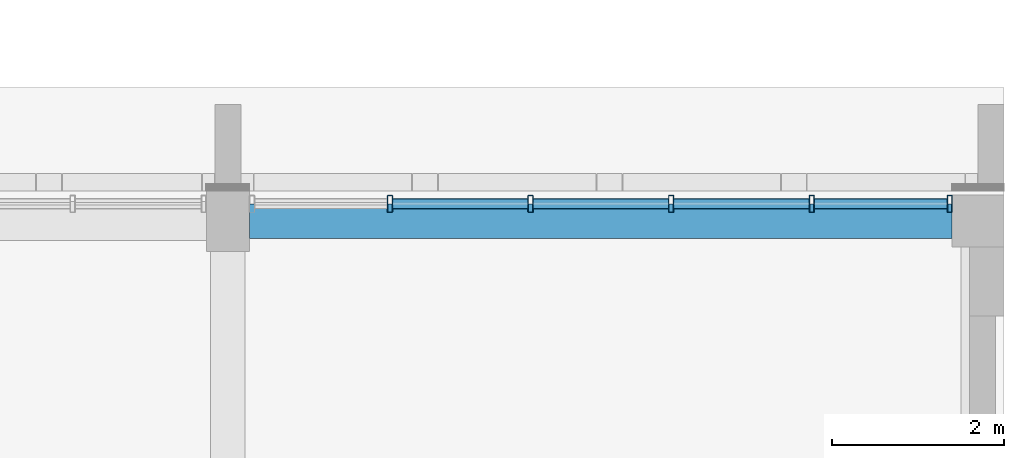
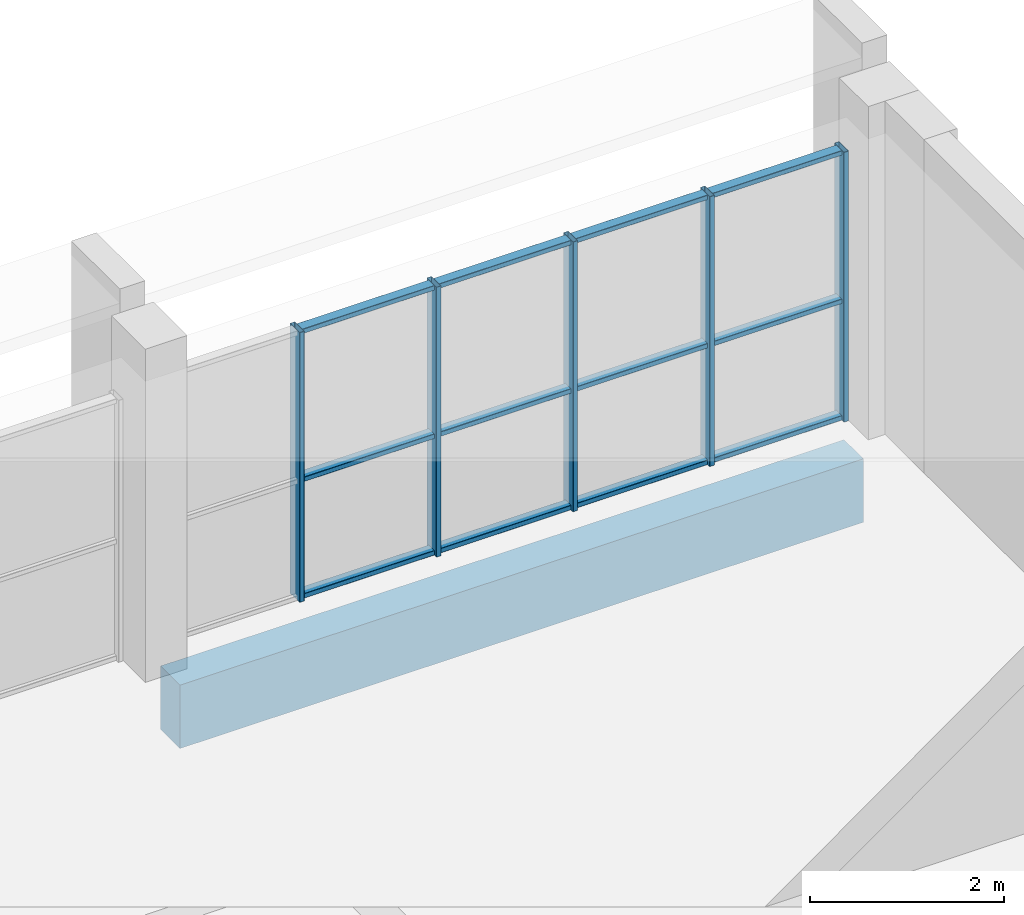
# One storey, part 39 of 98: 17 members, 1 beam, 1 element without a shape of its own.
"""IFC4 building model written with IfcOpenShell, lengths in metres."""

from ifc_helpers import new_model, si_unit, direction, frame, origin, origin_2d, place, context, subcontext, project, spatial, rectangle, hollow_rectangle, extrude, material, material_profile, profile_set, type_object, element, aggregate, save


model = new_model("IFC4")

# Units and contexts
model_context = context("Model", 3, precision=1e-05, world=origin(), true_north=direction((0.0, 1.0)))
body_context = subcontext(model_context, "Body", "Model", "MODEL_VIEW")
ifc_project = project(units=[si_unit("LENGTHUNIT", "METRE"), si_unit("AREAUNIT", "SQUARE_METRE"), si_unit("VOLUMEUNIT", "CUBIC_METRE"), si_unit("PLANEANGLEUNIT", "RADIAN"), si_unit("MASSUNIT", "GRAM", prefix="KILO")], contexts=[model_context])

# Site, building, storey
site_placement = place(None, origin())
site = spatial("IfcSite", under=ifc_project, at=site_placement, CompositionType="ELEMENT")
building_placement = place(site_placement, origin())
building = spatial("IfcBuilding", under=site, at=building_placement, Name="Sun Court Science Centre", CompositionType="ELEMENT")
storey_placement = place(building_placement, frame((0.0, 0.0, 15.75)))
storey = spatial("IfcBuildingStorey", under=building, at=storey_placement, Name="L03", CompositionType="ELEMENT", Elevation=15.75)

# Curtain wall, members
ifc_material_1 = material(Name="Aluminium EN AW-6063 T6", Category="aluminium")
curtain_wall_type = type_object("IfcCurtainWallType", Name="Laboratory tall bay curtain wall 1500", PredefinedType="NOTDEFINED", material=ifc_material_1)
curtain_wall_placement = place(storey_placement, origin())
curtain_wall = element("IfcCurtainWall", 1, at=curtain_wall_placement, inside=storey, type_object=curtain_wall_type, Name="Curtain wall V4 N L03 03", PredefinedType="NOTDEFINED")
ifc_material_2 = material(Name="Aluminium EN AW-6063 T6", Category="aluminium")
ifc_material_profile_1 = material_profile(ifc_material_2, hollow_rectangle(XDim=0.06005859375, YDim=0.199951171875, WallThickness=0.0048828125, InnerFilletRadius=0.0048828125, OuterFilletRadius=0.007568359375, at=origin_2d()), Name="AL 60x200x5")
ifc_profile_set_1 = profile_set([ifc_material_profile_1], Name="Aluminium EN AW-6063 T6")
member_type_1 = type_object("IfcMemberType", Name="Curtain wall mullion AL 60x200", PredefinedType="MULLION", material=ifc_profile_set_1)
member_1_placement = place(storey_placement, frame((96.8798828125, 80.85009765625, 0.0), z_axis=(0.0, 0.0, 1.0), x_axis=(1.0, 0.0, 0.0)))
member_1 = element("IfcMember", 2, at=member_1_placement, type_object=member_type_1, Name="CW2-72 mullion 2", PredefinedType="MULLION", context=body_context, shape_type="SweptSolid", body=[
    extrude(hollow_rectangle(XDim=0.06005859375, YDim=0.199951171875, WallThickness=0.0048828125, InnerFilletRadius=0.0048828125, OuterFilletRadius=0.007568359375, at=origin_2d()), origin(), (0.0, 0.0, 1.0), 3.39990234375),
])
member_2_placement = place(storey_placement, frame((98.510009765625, 80.85009765625, 0.0), z_axis=(0.0, 0.0, 1.0), x_axis=(1.0, 0.0, 0.0)))
member_2 = element("IfcMember", 3, at=member_2_placement, type_object=member_type_1, Name="CW2-72 mullion 3", PredefinedType="MULLION", context=body_context, shape_type="SweptSolid", body=[
    extrude(hollow_rectangle(XDim=0.06005859375, YDim=0.199951171875, WallThickness=0.0048828125, InnerFilletRadius=0.0048828125, OuterFilletRadius=0.007568359375, at=origin_2d()), origin(), (0.0, 0.0, 1.0), 3.39990234375),
])
member_3_placement = place(storey_placement, frame((100.139892578125, 80.85009765625, 0.0), z_axis=(0.0, 0.0, 1.0), x_axis=(1.0, 0.0, 0.0)))
member_3 = element("IfcMember", 4, at=member_3_placement, type_object=member_type_1, Name="CW2-72 mullion 4", PredefinedType="MULLION", context=body_context, shape_type="SweptSolid", body=[
    extrude(hollow_rectangle(XDim=0.06005859375, YDim=0.199951171875, WallThickness=0.0048828125, InnerFilletRadius=0.0048828125, OuterFilletRadius=0.007568359375, at=origin_2d()), origin(), (0.0, 0.0, 1.0), 3.39990234375),
])
member_4_placement = place(storey_placement, frame((101.77001953125, 80.85009765625, 0.0), z_axis=(0.0, 0.0, 1.0), x_axis=(1.0, 0.0, 0.0)))
member_4 = element("IfcMember", 5, at=member_4_placement, type_object=member_type_1, Name="CW2-72 mullion 5", PredefinedType="MULLION", context=body_context, shape_type="SweptSolid", body=[
    extrude(hollow_rectangle(XDim=0.06005859375, YDim=0.199951171875, WallThickness=0.0048828125, InnerFilletRadius=0.0048828125, OuterFilletRadius=0.007568359375, at=origin_2d()), origin(), (0.0, 0.0, 1.0), 3.39990234375),
])
member_5_placement = place(storey_placement, frame((103.3701171875, 80.85009765625, 0.0), z_axis=(0.0, 0.0, 1.0), x_axis=(1.0, 0.0, 0.0)))
member_5 = element("IfcMember", 6, at=member_5_placement, type_object=member_type_1, Name="CW2-72 mullion 6", PredefinedType="MULLION", context=body_context, shape_type="SweptSolid", body=[
    extrude(hollow_rectangle(XDim=0.06005859375, YDim=0.199951171875, WallThickness=0.0048828125, InnerFilletRadius=0.0048828125, OuterFilletRadius=0.007568359375, at=origin_2d()), origin(), (0.0, 0.0, 1.0), 3.39990234375),
])
ifc_material_3 = material(Name="Aluminium EN AW-6063 T6", Category="aluminium")
ifc_material_profile_2 = material_profile(ifc_material_3, hollow_rectangle(XDim=0.06005859375, YDim=0.1201171875, WallThickness=0.00390625, InnerFilletRadius=0.00390625, OuterFilletRadius=0.006103515625, at=origin_2d()), Name="AL 60x120x4")
ifc_profile_set_2 = profile_set([ifc_material_profile_2], Name="Aluminium EN AW-6063 T6")
member_type_2 = type_object("IfcMemberType", Name="Curtain wall transom AL 60x120", PredefinedType="USERDEFINED", material=ifc_profile_set_2)
member_6_placement = place(storey_placement, frame((96.909912109375, 80.85009765625, 0.030029296875), z_axis=(1.0, 0.0, 0.0), x_axis=(0.0, 0.0, 1.0)))
member_6 = element("IfcMember", 7, at=member_6_placement, type_object=member_type_2, Name="CW2-72 transom 2.1", ObjectType="TRANSOM", PredefinedType="USERDEFINED", context=body_context, shape_type="SweptSolid", body=[
    extrude(hollow_rectangle(XDim=0.06005859375, YDim=0.1201171875, WallThickness=0.00390625, InnerFilletRadius=0.00390625, OuterFilletRadius=0.006103515625, at=origin_2d()), origin(), (0.0, 0.0, 1.0), 1.570068359375),
])
member_7_placement = place(storey_placement, frame((98.5400390625, 80.85009765625, 0.030029296875), z_axis=(1.0, 0.0, 0.0), x_axis=(0.0, 0.0, 1.0)))
member_7 = element("IfcMember", 8, at=member_7_placement, type_object=member_type_2, Name="CW2-72 transom 3.1", ObjectType="TRANSOM", PredefinedType="USERDEFINED", context=body_context, shape_type="SweptSolid", body=[
    extrude(hollow_rectangle(XDim=0.06005859375, YDim=0.1201171875, WallThickness=0.00390625, InnerFilletRadius=0.00390625, OuterFilletRadius=0.006103515625, at=origin_2d()), origin(), (0.0, 0.0, 1.0), 1.570068359375),
])
member_8_placement = place(storey_placement, frame((100.169921875, 80.85009765625, 0.030029296875), z_axis=(1.0, 0.0, 0.0), x_axis=(0.0, 0.0, 1.0)))
member_8 = element("IfcMember", 9, at=member_8_placement, type_object=member_type_2, Name="CW2-72 transom 4.1", ObjectType="TRANSOM", PredefinedType="USERDEFINED", context=body_context, shape_type="SweptSolid", body=[
    extrude(hollow_rectangle(XDim=0.06005859375, YDim=0.1201171875, WallThickness=0.00390625, InnerFilletRadius=0.00390625, OuterFilletRadius=0.006103515625, at=origin_2d()), origin(), (0.0, 0.0, 1.0), 1.570068359375),
])
member_9_placement = place(storey_placement, frame((101.800048828125, 80.85009765625, 0.030029296875), z_axis=(1.0, 0.0, 0.0), x_axis=(0.0, 0.0, 1.0)))
member_9 = element("IfcMember", 10, at=member_9_placement, type_object=member_type_2, Name="CW2-72 transom 5.1", ObjectType="TRANSOM", PredefinedType="USERDEFINED", context=body_context, shape_type="SweptSolid", body=[
    extrude(hollow_rectangle(XDim=0.06005859375, YDim=0.1201171875, WallThickness=0.00390625, InnerFilletRadius=0.00390625, OuterFilletRadius=0.006103515625, at=origin_2d()), origin(), (0.0, 0.0, 1.0), 1.5400390625),
])
member_10_placement = place(storey_placement, frame((96.909912109375, 80.85009765625, 1.5), z_axis=(1.0, 0.0, 0.0), x_axis=(0.0, 0.0, 1.0)))
member_10 = element("IfcMember", 11, at=member_10_placement, type_object=member_type_2, Name="CW2-72 transom 2.2", ObjectType="TRANSOM", PredefinedType="USERDEFINED", context=body_context, shape_type="SweptSolid", body=[
    extrude(hollow_rectangle(XDim=0.06005859375, YDim=0.1201171875, WallThickness=0.00390625, InnerFilletRadius=0.00390625, OuterFilletRadius=0.006103515625, at=origin_2d()), origin(), (0.0, 0.0, 1.0), 1.570068359375),
])
member_11_placement = place(storey_placement, frame((98.5400390625, 80.85009765625, 1.5), z_axis=(1.0, 0.0, 0.0), x_axis=(0.0, 0.0, 1.0)))
member_11 = element("IfcMember", 12, at=member_11_placement, type_object=member_type_2, Name="CW2-72 transom 3.2", ObjectType="TRANSOM", PredefinedType="USERDEFINED", context=body_context, shape_type="SweptSolid", body=[
    extrude(hollow_rectangle(XDim=0.06005859375, YDim=0.1201171875, WallThickness=0.00390625, InnerFilletRadius=0.00390625, OuterFilletRadius=0.006103515625, at=origin_2d()), origin(), (0.0, 0.0, 1.0), 1.570068359375),
])
member_12_placement = place(storey_placement, frame((100.169921875, 80.85009765625, 1.5), z_axis=(1.0, 0.0, 0.0), x_axis=(0.0, 0.0, 1.0)))
member_12 = element("IfcMember", 13, at=member_12_placement, type_object=member_type_2, Name="CW2-72 transom 4.2", ObjectType="TRANSOM", PredefinedType="USERDEFINED", context=body_context, shape_type="SweptSolid", body=[
    extrude(hollow_rectangle(XDim=0.06005859375, YDim=0.1201171875, WallThickness=0.00390625, InnerFilletRadius=0.00390625, OuterFilletRadius=0.006103515625, at=origin_2d()), origin(), (0.0, 0.0, 1.0), 1.570068359375),
])
member_13_placement = place(storey_placement, frame((101.800048828125, 80.85009765625, 1.5), z_axis=(1.0, 0.0, 0.0), x_axis=(0.0, 0.0, 1.0)))
member_13 = element("IfcMember", 14, at=member_13_placement, type_object=member_type_2, Name="CW2-72 transom 5.2", ObjectType="TRANSOM", PredefinedType="USERDEFINED", context=body_context, shape_type="SweptSolid", body=[
    extrude(hollow_rectangle(XDim=0.06005859375, YDim=0.1201171875, WallThickness=0.00390625, InnerFilletRadius=0.00390625, OuterFilletRadius=0.006103515625, at=origin_2d()), origin(), (0.0, 0.0, 1.0), 1.5400390625),
])
member_14_placement = place(storey_placement, frame((96.909912109375, 80.85009765625, 3.3701171875), z_axis=(1.0, 0.0, 0.0), x_axis=(0.0, 0.0, 1.0)))
member_14 = element("IfcMember", 15, at=member_14_placement, type_object=member_type_2, Name="CW2-72 transom 2.3", ObjectType="TRANSOM", PredefinedType="USERDEFINED", context=body_context, shape_type="SweptSolid", body=[
    extrude(hollow_rectangle(XDim=0.06005859375, YDim=0.1201171875, WallThickness=0.00390625, InnerFilletRadius=0.00390625, OuterFilletRadius=0.006103515625, at=origin_2d()), origin(), (0.0, 0.0, 1.0), 1.570068359375),
])
member_15_placement = place(storey_placement, frame((98.5400390625, 80.85009765625, 3.3701171875), z_axis=(1.0, 0.0, 0.0), x_axis=(0.0, 0.0, 1.0)))
member_15 = element("IfcMember", 16, at=member_15_placement, type_object=member_type_2, Name="CW2-72 transom 3.3", ObjectType="TRANSOM", PredefinedType="USERDEFINED", context=body_context, shape_type="SweptSolid", body=[
    extrude(hollow_rectangle(XDim=0.06005859375, YDim=0.1201171875, WallThickness=0.00390625, InnerFilletRadius=0.00390625, OuterFilletRadius=0.006103515625, at=origin_2d()), origin(), (0.0, 0.0, 1.0), 1.570068359375),
])
member_16_placement = place(storey_placement, frame((100.169921875, 80.85009765625, 3.3701171875), z_axis=(1.0, 0.0, 0.0), x_axis=(0.0, 0.0, 1.0)))
member_16 = element("IfcMember", 17, at=member_16_placement, type_object=member_type_2, Name="CW2-72 transom 4.3", ObjectType="TRANSOM", PredefinedType="USERDEFINED", context=body_context, shape_type="SweptSolid", body=[
    extrude(hollow_rectangle(XDim=0.06005859375, YDim=0.1201171875, WallThickness=0.00390625, InnerFilletRadius=0.00390625, OuterFilletRadius=0.006103515625, at=origin_2d()), origin(), (0.0, 0.0, 1.0), 1.570068359375),
])
member_17_placement = place(storey_placement, frame((101.800048828125, 80.85009765625, 3.3701171875), z_axis=(1.0, 0.0, 0.0), x_axis=(0.0, 0.0, 1.0)))
member_17 = element("IfcMember", 18, at=member_17_placement, type_object=member_type_2, Name="CW2-72 transom 5.3", ObjectType="TRANSOM", PredefinedType="USERDEFINED", context=body_context, shape_type="SweptSolid", body=[
    extrude(hollow_rectangle(XDim=0.06005859375, YDim=0.1201171875, WallThickness=0.00390625, InnerFilletRadius=0.00390625, OuterFilletRadius=0.006103515625, at=origin_2d()), origin(), (0.0, 0.0, 1.0), 1.5400390625),
])
aggregate(curtain_wall, [member_1, member_2, member_3, member_4, member_5, member_6, member_7, member_8, member_9, member_10, member_11, member_12, member_13, member_14, member_15, member_16, member_17])

# Beam
ifc_material_4 = material(Name="Concrete C25/30", Category="concrete")
ifc_material_profile_3 = material_profile(ifc_material_4, rectangle(XDim=0.39990234375, YDim=0.800048828125, at=origin_2d()), Name="RC 400x800")
ifc_profile_set_3 = profile_set([ifc_material_profile_3], Name="Concrete C25/30")
beam_type = type_object("IfcBeamType", Name="RC girder 400x800", PredefinedType="BEAM", material=ifc_profile_set_3)
beam_placement = place(storey_placement, frame((95.25, 80.64990234375, -0.699951171875), z_axis=(1.0, 0.0, 0.0), x_axis=(0.0, 1.0, 0.0)))
element("IfcBeam", 19, at=beam_placement, inside=storey, type_object=beam_type, Name="Girder L03 row 11", PredefinedType="BEAM", context=body_context, shape_type="SweptSolid", body=[
    extrude(rectangle(XDim=0.39990234375, YDim=0.800048828125, at=origin_2d()), origin(), (0.0, 0.0, 1.0), 8.14990234375),
])

save(model, "model.ifc")
